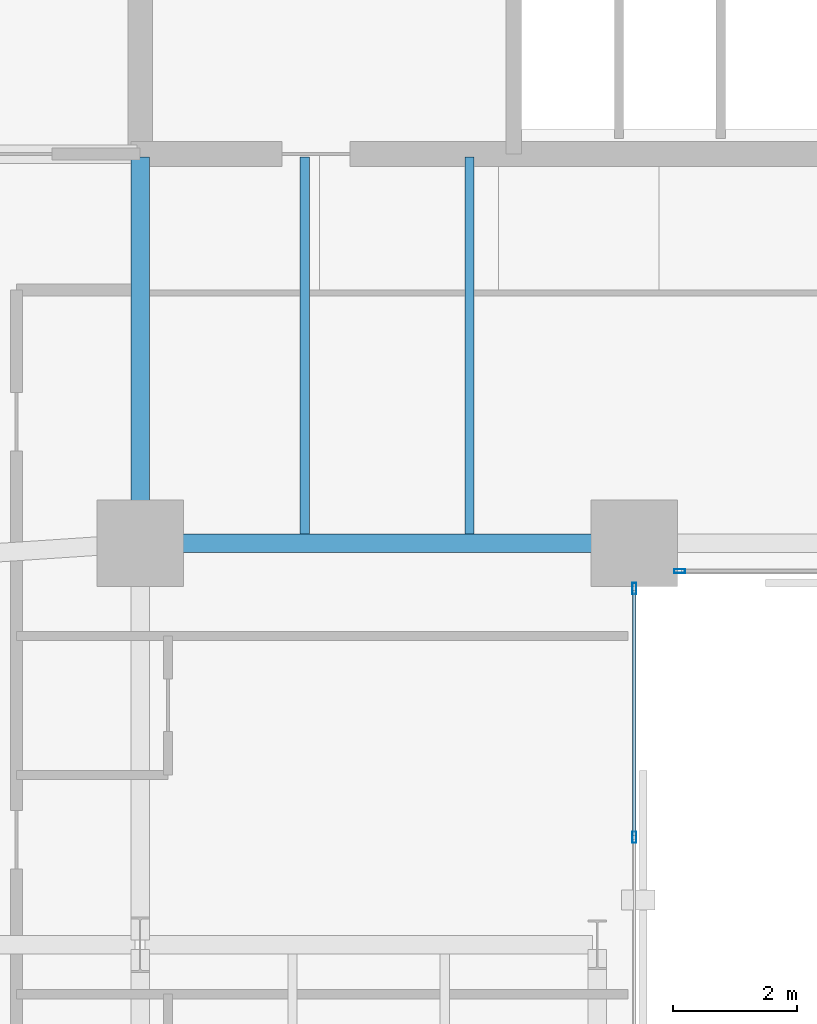
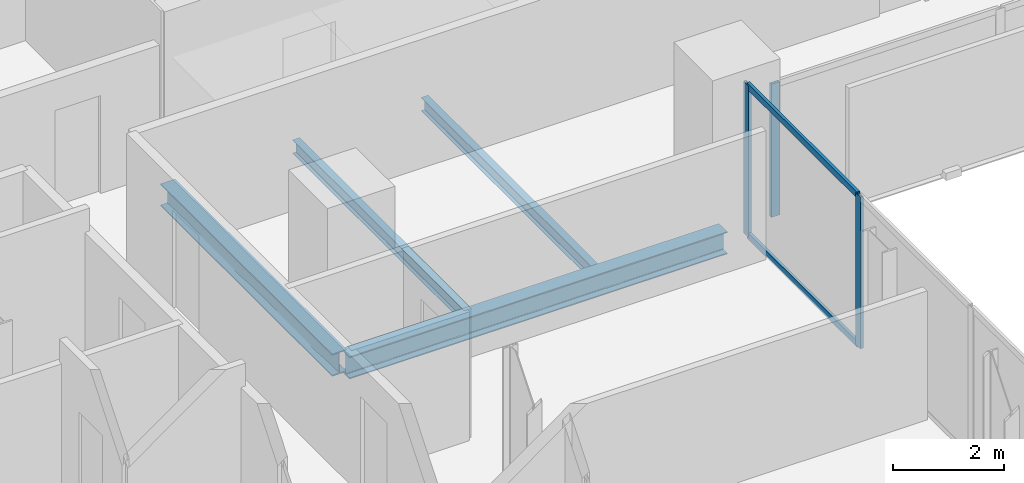
# One storey, part 13 of 32: 5 members, 4 beams, 2 elements without a shape of their own.
"""IFC4 building model written with IfcOpenShell, lengths in metres."""

from ifc_helpers import new_model, si_unit, direction, frame, origin, origin_2d, place, context, subcontext, project, spatial, hollow_rectangle, i_section, extrude, material, layer, layer_set, material_profile, profile_set, type_object, element, aggregate, save


model = new_model("IFC4")

# Units and contexts
model_context = context("Model", 3, precision=1e-05, world=origin(), true_north=direction((0.0, 1.0)))
body_context = subcontext(model_context, "Body", "Model", "MODEL_VIEW")
ifc_project = project(units=[si_unit("LENGTHUNIT", "METRE"), si_unit("AREAUNIT", "SQUARE_METRE"), si_unit("VOLUMEUNIT", "CUBIC_METRE"), si_unit("PLANEANGLEUNIT", "RADIAN"), si_unit("MASSUNIT", "GRAM", prefix="KILO")], contexts=[model_context])

# Site, building, storey
site_placement = place(None, origin())
site = spatial("IfcSite", under=ifc_project, at=site_placement, CompositionType="ELEMENT")
building_placement = place(site_placement, origin())
building = spatial("IfcBuilding", under=site, at=building_placement, Name="Catumbela Crestline Tower", CompositionType="ELEMENT")
storey_placement = place(building_placement, frame((0.0, 0.0, 69.0)))
storey = spatial("IfcBuildingStorey", under=building, at=storey_placement, Name="L17", CompositionType="ELEMENT", Elevation=69.0)

# Beams
ifc_material_1 = material(Name="Structural steel S355J2", Category="steel")
ifc_material_profile_1 = material_profile(ifc_material_1, i_section(OverallWidth=0.3, OverallDepth=0.49, WebThickness=0.012, FlangeThickness=0.023, FilletRadius=0.027, at=origin_2d()), Name="HEA 500")
ifc_profile_set_1 = profile_set([ifc_material_profile_1], Name="Structural steel S355J2")
beam_type_1 = type_object("IfcBeamType", Name="BG-HEA500", PredefinedType="BEAM", material=ifc_profile_set_1)
beam_1_placement = place(storey_placement, frame((16.08, 24.5, -0.505), z_axis=(1.0, 0.0, 0.0), x_axis=(0.0, 1.0, 0.0)))
element("IfcBeam", 1, at=beam_1_placement, inside=storey, type_object=beam_type_1, Name="L17 Beam BM-L17-S04", PredefinedType="BEAM", context=body_context, shape_type="SweptSolid", body=[
    extrude(i_section(OverallWidth=0.3, OverallDepth=0.49, WebThickness=0.012, FlangeThickness=0.023, FilletRadius=0.027, at=origin_2d()), origin(), (0.0, 0.0, 1.0), 7.84),
])
beam_2_placement = place(storey_placement, frame((16.0, 24.58, -0.505), z_axis=(0.0, 1.0, 0.0), x_axis=(-1.0, 0.0, 0.0)))
element("IfcBeam", 2, at=beam_2_placement, inside=storey, type_object=beam_type_1, Name="L17 Beam BM-L17-SNS31", PredefinedType="BEAM", context=body_context, shape_type="SweptSolid", body=[
    extrude(i_section(OverallWidth=0.3, OverallDepth=0.49, WebThickness=0.012, FlangeThickness=0.023, FilletRadius=0.027, at=origin_2d()), origin(), (0.0, 0.0, 1.0), 6.17),
])
ifc_material_profile_2 = material_profile(ifc_material_1, i_section(OverallWidth=0.15, OverallDepth=0.3, WebThickness=0.0071, FlangeThickness=0.0107, FilletRadius=0.015, at=origin_2d()), Name="IPE 300")
ifc_profile_set_2 = profile_set([ifc_material_profile_2], Name="Structural steel S355J2")
beam_type_2 = type_object("IfcBeamType", Name="BJ-IPE300", PredefinedType="JOIST", material=ifc_profile_set_2)
for number, where, z_axis, x_axis, name in (
    (3, (18.667, 24.647, -0.41), (0.0, 1.0, 0.0), (-1.0, 0.0, 0.0), "L17 Joist JS-L17-SP42"),
    (4, (21.333, 24.647, -0.41), (0.0, 1.0, 0.0), (-1.0, 0.0, 0.0), "L17 Joist JS-L17-SP43"),
):
    element("IfcBeam", number, at=place(storey_placement, frame(where, z_axis=z_axis, x_axis=x_axis)), inside=storey, type_object=beam_type_2, Name=name, PredefinedType="JOIST", context=body_context, shape_type="SweptSolid", body=[
        extrude(i_section(OverallWidth=0.15, OverallDepth=0.3, WebThickness=0.0071, FlangeThickness=0.0107, FilletRadius=0.015, at=origin_2d()), origin(), (0.0, 0.0, 1.0), 6.103),
    ])

# Curtain wall, members
ifc_material_2 = material(Name="Aluminium alloy AW-6060-T66", Category="aluminium")
ifc_layer = layer(ifc_material_2, 0.18, Name="Aluminium alloy AW-6060-T66")
ifc_layer_set = layer_set([ifc_layer], Name="Aluminium alloy AW-6060-T66")
curtain_wall_type = type_object("IfcCurtainWallType", Name="CWU-Z1", PredefinedType="USERDEFINED", material=ifc_layer_set)
curtain_wall_1_placement = place(storey_placement, origin())
curtain_wall_1 = element("IfcCurtainWall", 5, at=curtain_wall_1_placement, inside=storey, type_object=curtain_wall_type, Name="L17 Unitised Curtain Wall CW-L17-E2S1", ObjectType="UNITISED", PredefinedType="USERDEFINED")
ifc_material_profile_3 = material_profile(ifc_material_2, hollow_rectangle(XDim=0.065, YDim=0.18, WallThickness=0.004, at=origin_2d()), Name="ALU 180x65x4")
ifc_profile_set_3 = profile_set([ifc_material_profile_3], Name="Aluminium alloy AW-6060-T66")
member_type_1 = type_object("IfcMemberType", Name="MUL-180X65", PredefinedType="MULLION", material=ifc_profile_set_3)
member_1_placement = place(storey_placement, frame((24.0, 19.74, 0.0), z_axis=(0.0, 0.0, 1.0), x_axis=(-1.0, 0.0, 0.0)))
member_1 = element("IfcMember", 6, at=member_1_placement, type_object=member_type_1, Name="CWU-Z1 mullion 5", PredefinedType="MULLION", context=body_context, shape_type="SweptSolid", body=[
    extrude(hollow_rectangle(XDim=0.065, YDim=0.18, WallThickness=0.004, at=origin_2d()), origin(), (0.0, 0.0, 1.0), 3.33),
])
member_2_placement = place(storey_placement, frame((24.0, 23.7675, 0.0), z_axis=(0.0, 0.0, 1.0), x_axis=(-1.0, 0.0, 0.0)))
member_2 = element("IfcMember", 7, at=member_2_placement, type_object=member_type_1, Name="CWU-Z1 mullion 6", PredefinedType="MULLION", context=body_context, shape_type="SweptSolid", body=[
    extrude(hollow_rectangle(XDim=0.065, YDim=0.18, WallThickness=0.004, at=origin_2d()), origin(), (0.0, 0.0, 1.0), 3.33),
])

# Curtain wall, member
curtain_wall_2_placement = place(storey_placement, origin())
curtain_wall_2 = element("IfcCurtainWall", 8, at=curtain_wall_2_placement, inside=storey, type_object=curtain_wall_type, Name="L17 Unitised Curtain Wall CW-L17-E3S1", ObjectType="UNITISED", PredefinedType="USERDEFINED")
member_3_placement = place(storey_placement, frame((24.7325, 24.05, 0.0), z_axis=(0.0, 0.0, 1.0), x_axis=(0.0, 1.0, 0.0)))
member_3 = element("IfcMember", 9, at=member_3_placement, type_object=member_type_1, Name="CWU-Z1 mullion 1", PredefinedType="MULLION", context=body_context, shape_type="SweptSolid", body=[
    extrude(hollow_rectangle(XDim=0.065, YDim=0.18, WallThickness=0.004, at=origin_2d()), origin(), (0.0, 0.0, 1.0), 2.92),
])
aggregate(curtain_wall_2, [member_3])

# Member
ifc_material_profile_4 = material_profile(ifc_material_2, hollow_rectangle(XDim=0.06, YDim=0.14, WallThickness=0.004, at=origin_2d()), Name="ALU 140x60x4")
ifc_profile_set_4 = profile_set([ifc_material_profile_4], Name="Aluminium alloy AW-6060-T66")
member_type_2 = type_object("IfcMemberType", Name="TRN-140X60", PredefinedType="USERDEFINED", material=ifc_profile_set_4)
member_4_placement = place(storey_placement, frame((24.0, 19.7725, 0.03), z_axis=(0.0, 1.0, 0.0), x_axis=(-1.0, 0.0, 0.0)))
member_4 = element("IfcMember", 10, at=member_4_placement, type_object=member_type_2, Name="CWU-Z1 transom 5.1", ObjectType="TRANSOM", PredefinedType="USERDEFINED", context=body_context, shape_type="SweptSolid", body=[
    extrude(hollow_rectangle(XDim=0.06, YDim=0.14, WallThickness=0.004, at=origin_2d()), origin(), (0.0, 0.0, 1.0), 3.9625),
])

member_5_placement = place(storey_placement, frame((24.0, 19.7725, 3.3), z_axis=(0.0, 1.0, 0.0), x_axis=(-1.0, 0.0, 0.0)))
member_5 = element("IfcMember", 11, at=member_5_placement, type_object=member_type_2, Name="CWU-Z1 transom 5.2", ObjectType="TRANSOM", PredefinedType="USERDEFINED", context=body_context, shape_type="SweptSolid", body=[
    extrude(hollow_rectangle(XDim=0.06, YDim=0.14, WallThickness=0.004, at=origin_2d()), origin(), (0.0, 0.0, 1.0), 3.9625),
])

aggregate(curtain_wall_1, [member_1, member_2, member_4, member_5])

save(model, "model.ifc")
